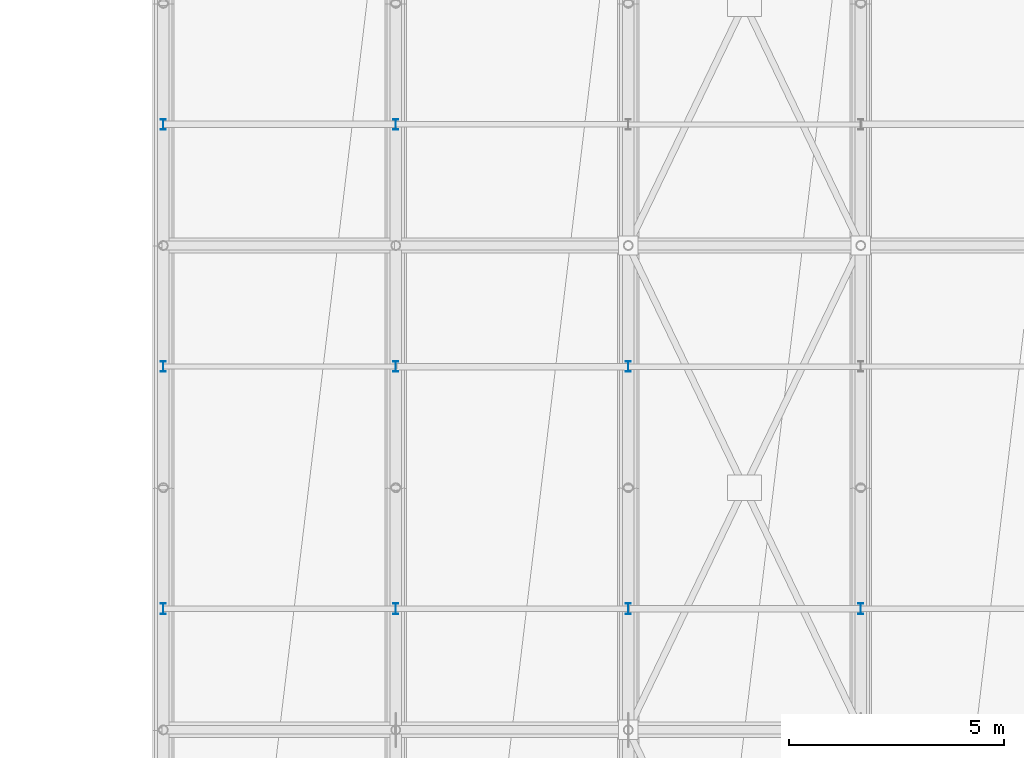
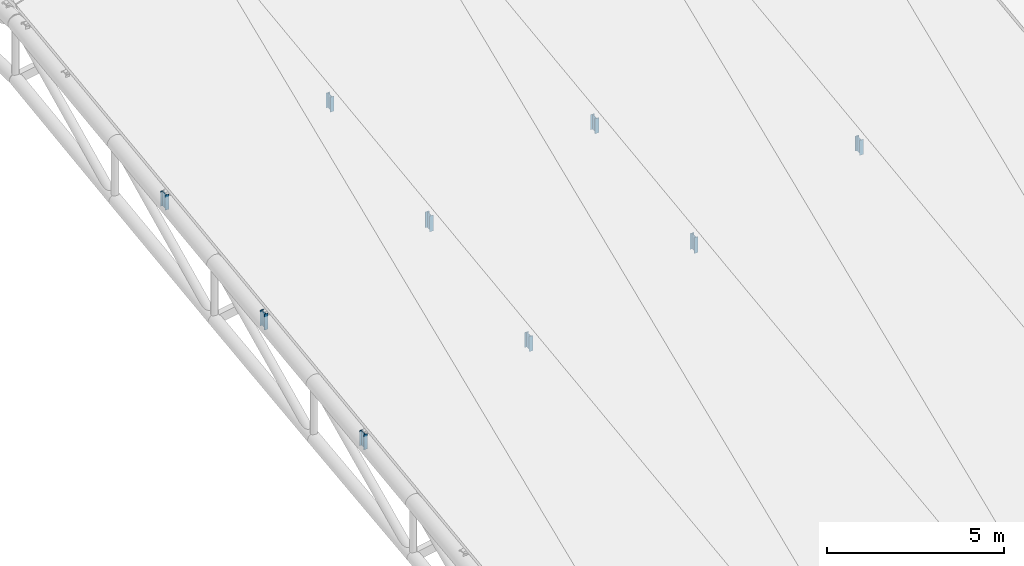
# One storey, part 62 of 109: 9 members.
"""IFC4 building model written with IfcOpenShell, lengths in metres."""

from ifc_helpers import new_model, si_unit, direction, frame, origin, origin_2d, place, context, subcontext, project, spatial, i_section, extrude, material, material_profile, profile_set, type_object, element, save


model = new_model("IFC4")

# Units and contexts
model_context = context("Model", 3, precision=1e-05, world=origin(), true_north=direction((0.0, 1.0)))
body_context = subcontext(model_context, "Body", "Model", "MODEL_VIEW")
ifc_project = project(units=[si_unit("LENGTHUNIT", "METRE"), si_unit("AREAUNIT", "SQUARE_METRE"), si_unit("VOLUMEUNIT", "CUBIC_METRE"), si_unit("PLANEANGLEUNIT", "RADIAN"), si_unit("MASSUNIT", "GRAM", prefix="KILO")], contexts=[model_context])

# Site, building, storey
site_placement = place(None, origin())
site = spatial("IfcSite", under=ifc_project, at=site_placement, CompositionType="ELEMENT")
building_placement = place(site_placement, origin())
building = spatial("IfcBuilding", under=site, at=building_placement, Name="Suirenkawa Promenade Aquatics Centre", CompositionType="ELEMENT")
storey_placement = place(building_placement, frame((0.0, 0.0, 22.800048828125)))
storey = spatial("IfcBuildingStorey", under=building, at=storey_placement, Name="ROOF", CompositionType="ELEMENT", Elevation=22.800048828125)

# Members
ifc_material = material(Name="Steel IS 2062 E350 (Grade 350)", Category="steel")
ifc_material_profile = material_profile(ifc_material, i_section(OverallWidth=0.125, OverallDepth=0.25, WebThickness=0.007080078125, FlangeThickness=0.012939453125, at=origin_2d()), Name="ISMB 250", Category="steel")
ifc_profile_set = profile_set([ifc_material_profile], Name="Steel IS 2062 E350 (Grade 350)")
member_type = type_object("IfcMemberType", Name="MT-WEB-CHS168", PredefinedType="BRACE", material=ifc_profile_set)
for number, where, z_axis, x_axis, name in (
    (1, (46.800048828125, 75.712890625, -11.95703125), (0.0, 0.0, 1.0), (1.0, 0.0, 0.0), "ROOF TRUSS Purlin cleat post TD-03 MB-1685"),
    (2, (52.199951171875, 75.712890625, -10.45703125), (0.0, 0.0, 1.0), (1.0, 0.0, 0.0), "ROOF TRUSS Purlin cleat post TD-03 MB-1686"),
):
    element("IfcMember", number, at=place(storey_placement, frame(where, z_axis=z_axis, x_axis=x_axis)), inside=storey, type_object=member_type, Name=name, PredefinedType="BRACE", context=body_context, shape_type="SweptSolid", body=[
        extrude(i_section(OverallWidth=0.125, OverallDepth=0.25, WebThickness=0.007080078125, FlangeThickness=0.012939453125, at=origin_2d()), origin(), (0.0, 0.0, 1.0), 0.52099609375),
    ])
for number, where, z_axis, x_axis, name in (
    (3, (46.800048828125, 81.337890625, -11.23193359375), (0.0, 0.0, 1.0), (1.0, 0.0, 0.0), "ROOF TRUSS Purlin cleat post TD-03 MB-1688"),
    (4, (52.199951171875, 81.337890625, -9.73193359375), (0.0, 0.0, 1.0), (1.0, 0.0, 0.0), "ROOF TRUSS Purlin cleat post TD-03 MB-1689"),
):
    element("IfcMember", number, at=place(storey_placement, frame(where, z_axis=z_axis, x_axis=x_axis)), inside=storey, type_object=member_type, Name=name, PredefinedType="BRACE", context=body_context, shape_type="SweptSolid", body=[
        extrude(i_section(OverallWidth=0.125, OverallDepth=0.25, WebThickness=0.007080078125, FlangeThickness=0.012939453125, at=origin_2d()), origin(), (0.0, 0.0, 1.0), 0.5458984375),
    ])
for number, where, z_axis, x_axis, name in (
    (5, (46.800048828125, 86.962890625, -10.507080078125), (0.0, 0.0, 1.0), (1.0, 0.0, 0.0), "ROOF TRUSS Purlin cleat post TD-03 MB-1691"),
    (6, (52.199951171875, 86.962890625, -9.007080078125), (0.0, 0.0, 1.0), (1.0, 0.0, 0.0), "ROOF TRUSS Purlin cleat post TD-03 MB-1692"),
):
    element("IfcMember", number, at=place(storey_placement, frame(where, z_axis=z_axis, x_axis=x_axis)), inside=storey, type_object=member_type, Name=name, PredefinedType="BRACE", context=body_context, shape_type="SweptSolid", body=[
        extrude(i_section(OverallWidth=0.125, OverallDepth=0.25, WebThickness=0.007080078125, FlangeThickness=0.012939453125, at=origin_2d()), origin(), (0.0, 0.0, 1.0), 0.51904296875),
    ])
member_1_placement = place(storey_placement, frame((57.60009765625, 75.712890625, -8.95703125), z_axis=(0.0, 0.0, 1.0), x_axis=(1.0, 0.0, 0.0)))
element("IfcMember", 7, at=member_1_placement, inside=storey, type_object=member_type, Name="ROOF TRUSS Purlin cleat post TD-03 MB-1734", PredefinedType="BRACE", context=body_context, shape_type="SweptSolid", body=[
    extrude(i_section(OverallWidth=0.125, OverallDepth=0.25, WebThickness=0.007080078125, FlangeThickness=0.012939453125, at=origin_2d()), origin(), (0.0, 0.0, 1.0), 0.5458984375),
])
member_2_placement = place(storey_placement, frame((57.60009765625, 81.337890625, -8.23193359375), z_axis=(0.0, 0.0, 1.0), x_axis=(1.0, 0.0, 0.0)))
element("IfcMember", 8, at=member_2_placement, inside=storey, type_object=member_type, Name="ROOF TRUSS Purlin cleat post TD-03 MB-1736", PredefinedType="BRACE", context=body_context, shape_type="SweptSolid", body=[
    extrude(i_section(OverallWidth=0.125, OverallDepth=0.25, WebThickness=0.007080078125, FlangeThickness=0.012939453125, at=origin_2d()), origin(), (0.0, 0.0, 1.0), 0.518798828125),
])
member_3_placement = place(storey_placement, frame((63.0, 75.712890625, -7.45703125), z_axis=(0.0, 0.0, 1.0), x_axis=(1.0, 0.0, 0.0)))
element("IfcMember", 9, at=member_3_placement, inside=storey, type_object=member_type, Name="ROOF TRUSS Purlin cleat post TD-03 MB-1770", PredefinedType="BRACE", context=body_context, shape_type="SweptSolid", body=[
    extrude(i_section(OverallWidth=0.125, OverallDepth=0.25, WebThickness=0.007080078125, FlangeThickness=0.012939453125, at=origin_2d()), origin(), (0.0, 0.0, 1.0), 0.51904296875),
])

save(model, "model.ifc")
